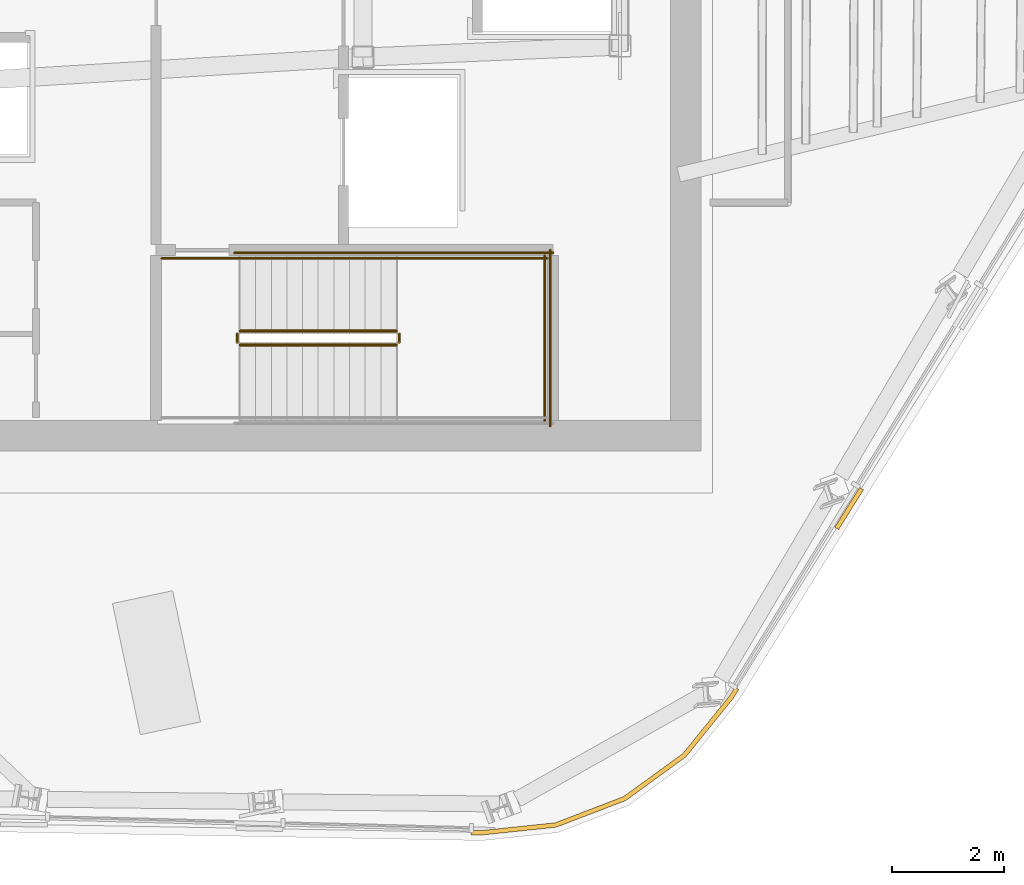
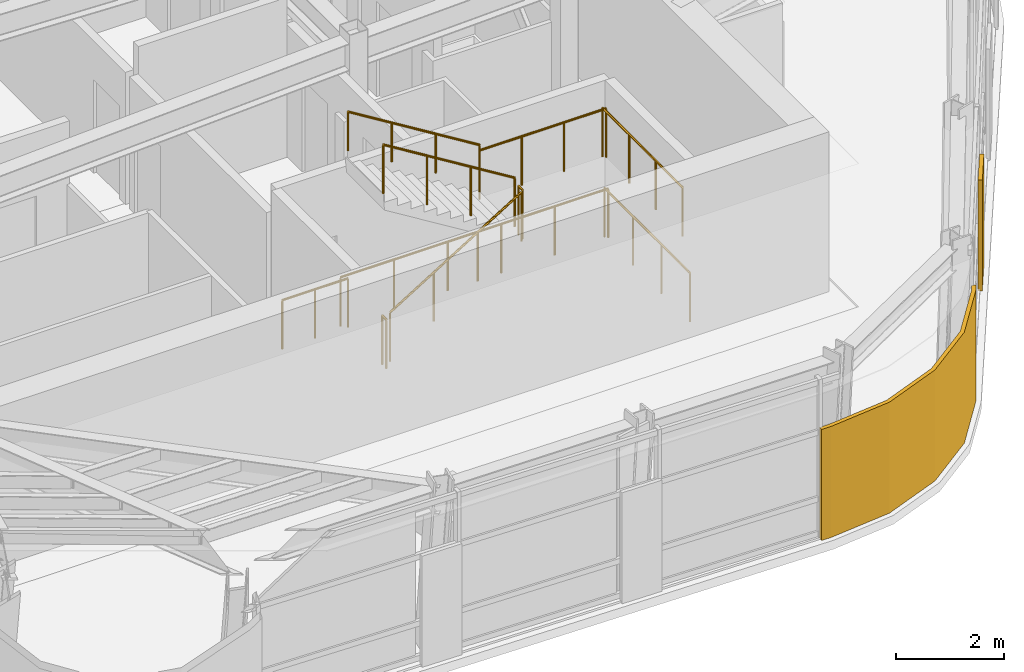
# One storey, part 10 of 13: 10 railings, 2 coverings.
"""IFC4 building model written with IfcOpenShell, lengths in metres."""

from ifc_helpers import new_model, si_unit, direction, frame, origin, origin_2d, place, context, subcontext, project, spatial, polyline, circle, outline, extrude, material, layer, layer_set, type_object, element, save


model = new_model("IFC4")

# Units and contexts
model_context = context("Model", 3, precision=1e-05, world=origin(), true_north=direction((0.0, 1.0)))
body_context = subcontext(model_context, "Body", "Model", "MODEL_VIEW")
ifc_project = project(units=[si_unit("LENGTHUNIT", "METRE"), si_unit("AREAUNIT", "SQUARE_METRE"), si_unit("VOLUMEUNIT", "CUBIC_METRE"), si_unit("PLANEANGLEUNIT", "RADIAN"), si_unit("MASSUNIT", "GRAM", prefix="KILO")], contexts=[model_context])

# Site, building, storey
site_placement = place(None, origin())
site = spatial("IfcSite", under=ifc_project, at=site_placement, CompositionType="ELEMENT")
building_placement = place(site_placement, origin())
building = spatial("IfcBuilding", under=site, at=building_placement, Name="Valkerne Bourse Tower", CompositionType="ELEMENT")
storey_placement = place(building_placement, frame((0.0, 0.0, 277.39990234375)))
storey = spatial("IfcBuildingStorey", under=building, at=storey_placement, Name="L70", CompositionType="ELEMENT", Elevation=277.39990234375)

# Coverings
ifc_material_1 = material(Name="Bronze Anodised Aluminium AA 6063-T6", Category="aluminium")
ifc_layer = layer(ifc_material_1, 0.06005859375)
ifc_layer_set = layer_set([ifc_layer], Name="Bronze Anodised Aluminium AA 6063-T6")
covering_type = type_object("IfcCoveringType", Name="COV-CRN-ALUM", PredefinedType="CLADDING", material=ifc_layer_set)
covering_1_placement = place(storey_placement, origin())
element("IfcCovering", 1, at=covering_1_placement, inside=storey, type_object=covering_type, Name="L70 Wind-Shaped Corner Aluminium Cladding 03", PredefinedType="CLADDING", context=body_context, shape_type="SweptSolid", body=[
    extrude(outline(polyline([(58.85888671875, 16.647705078125), (58.790771484375, 16.689453125), (59.235595703125, 17.402099609375), (59.303955078125, 17.360107421875), (58.85888671875, 16.647705078125)])), origin(), (0.0, 0.0, 1.0), 2.5),
])
covering_2_placement = place(storey_placement, origin())
element("IfcCovering", 2, at=covering_2_placement, inside=storey, type_object=covering_type, Name="L70 Wind-Shaped Corner Aluminium Cladding 04", PredefinedType="CLADDING", context=body_context, shape_type="SweptSolid", body=[
    extrude(outline(polyline([(56.97119140625, 13.62353515625), (56.12939453125, 12.58349609375), (55.05224609375, 11.801025390625), (53.8095703125, 11.32421875), (52.478759765625, 11.18408203125), (52.285888671875, 11.187744140625), (52.2880859375, 11.267578125), (52.475341796875, 11.264404296875), (53.790771484375, 11.402587890625), (55.013916015625, 11.8720703125), (56.07373046875, 12.64208984375), (56.906005859375, 13.669921875), (57.005126953125, 13.828857421875), (57.073486328125, 13.787109375), (56.97119140625, 13.62353515625)])), origin(), (0.0, 0.0, 1.0), 2.5),
])

# Railings
ifc_material_2 = material(Name="Galvanised Painted Steel", Category="steel")
railing_type_1 = type_object("IfcRailingType", Name="RLG-ST-GUARD-1120", PredefinedType="GUARDRAIL", material=ifc_material_2)
railing_1_placement = place(storey_placement, frame((48.14990234375, 19.949951171875, 0.1728515625)))
element("IfcRailing", 3, at=railing_1_placement, inside=storey, type_object=railing_type_1, Name="L70 ST-1 stair guard 1", PredefinedType="GUARDRAIL", context=body_context, shape_type="SweptSolid", body=[
    extrude(circle(Radius=0.02392578125, at=origin_2d()), frame((0.0, 0.0, 1.09619140625), z_axis=(0.851089632645, 0.0, 0.525020415988), x_axis=(0.0, 1.0, 0.0)), (0.0, 0.0, 1.0), 3.2900390625),
    extrude(circle(Radius=0.02099609375, at=origin_2d()), origin(), (0.0, 0.0, 1.0), 1.072021484375),
    extrude(circle(Radius=0.02099609375, at=origin_2d()), frame((0.933349609375, 0.0, 0.57568359375)), (0.0, 0.0, 1.0), 1.072021484375),
    extrude(circle(Radius=0.02099609375, at=origin_2d()), frame((1.86669921875, 0.0, 1.151611328125)), (0.0, 0.0, 1.0), 1.072021484375),
    extrude(circle(Radius=0.02099609375, at=origin_2d()), frame((2.800048828125, 0.0, 1.727294921875)), (0.0, 0.0, 1.0), 1.072021484375),
])
railing_2_placement = place(storey_placement, frame((51.0, 20.0, 1.900146484375)))
element("IfcRailing", 4, at=railing_2_placement, inside=storey, type_object=railing_type_1, Name="L70 ST-1 stair guard 2", PredefinedType="GUARDRAIL", context=body_context, shape_type="SweptSolid", body=[
    extrude(circle(Radius=0.02392578125, at=origin_2d()), frame((0.0, 0.0, 1.09619140625), z_axis=(0.0, 1.0, 0.0), x_axis=(-1.0, 0.0, 0.0)), (0.0, 0.0, 1.0), 0.14990234375),
    extrude(circle(Radius=0.02099609375, at=origin_2d()), origin(), (0.0, 0.0, 1.0), 1.072021484375),
    extrude(circle(Radius=0.02099609375, at=origin_2d()), frame((0.0, 0.14990234375, 0.0)), (0.0, 0.0, 1.0), 1.072021484375),
])
railing_3_placement = place(storey_placement, frame((50.949951171875, 21.5, 1.900146484375)))
element("IfcRailing", 5, at=railing_3_placement, inside=storey, type_object=railing_type_1, Name="L70 ST-1 stair guard 4", PredefinedType="GUARDRAIL", context=body_context, shape_type="SweptSolid", body=[
    extrude(circle(Radius=0.02392578125, at=origin_2d()), frame((0.0, 0.0, 1.09619140625), z_axis=(1.0, 0.0, 0.0), x_axis=(0.0, 1.0, 0.0)), (0.0, 0.0, 1.0), 2.699951171875),
    extrude(circle(Radius=0.02099609375, at=origin_2d()), origin(), (0.0, 0.0, 1.0), 1.072021484375),
    extrude(circle(Radius=0.02099609375, at=origin_2d()), frame((0.89990234375, 0.0, 0.0)), (0.0, 0.0, 1.0), 1.072021484375),
    extrude(circle(Radius=0.02099609375, at=origin_2d()), frame((1.800048828125, 0.0, 0.0)), (0.0, 0.0, 1.0), 1.072021484375),
    extrude(circle(Radius=0.02099609375, at=origin_2d()), frame((2.699951171875, 0.0, 0.0)), (0.0, 0.0, 1.0), 1.072021484375),
])
railing_4_placement = place(storey_placement, frame((53.60009765625, 18.60009765625, 1.900146484375)))
element("IfcRailing", 6, at=railing_4_placement, inside=storey, type_object=railing_type_1, Name="L70 ST-1 stair guard 5", PredefinedType="GUARDRAIL", context=body_context, shape_type="SweptSolid", body=[
    extrude(circle(Radius=0.02392578125, at=origin_2d()), frame((0.0, 0.0, 1.09619140625), z_axis=(0.0, 1.0, 0.0), x_axis=(-1.0, 0.0, 0.0)), (0.0, 0.0, 1.0), 2.949951171875),
    extrude(circle(Radius=0.02099609375, at=origin_2d()), origin(), (0.0, 0.0, 1.0), 1.072021484375),
    extrude(circle(Radius=0.02099609375, at=origin_2d()), frame((0.0, 0.9833984375, 0.0)), (0.0, 0.0, 1.0), 1.072021484375),
    extrude(circle(Radius=0.02099609375, at=origin_2d()), frame((0.0, 1.966552734375, 0.0)), (0.0, 0.0, 1.0), 1.072021484375),
    extrude(circle(Radius=0.02099609375, at=origin_2d()), frame((0.0, 2.949951171875, 0.0)), (0.0, 0.0, 1.0), 1.072021484375),
])
railing_5_placement = place(storey_placement, frame((50.949951171875, 20.199951171875, 2.07275390625)))
element("IfcRailing", 7, at=railing_5_placement, inside=storey, type_object=railing_type_1, Name="L70 ST-1 stair guard 6", PredefinedType="GUARDRAIL", context=body_context, shape_type="SweptSolid", body=[
    extrude(circle(Radius=0.02392578125, at=origin_2d()), frame((0.0, 0.0, 1.09619140625), z_axis=(-0.851089632645, 0.0, 0.525020415988), x_axis=(0.0, -1.0, 0.0)), (0.0, 0.0, 1.0), 3.2900390625),
    extrude(circle(Radius=0.02099609375, at=origin_2d()), origin(), (0.0, 0.0, 1.0), 1.072021484375),
    extrude(circle(Radius=0.02099609375, at=origin_2d()), frame((-0.933349609375, 0.0, 0.57568359375)), (0.0, 0.0, 1.0), 1.072021484375),
    extrude(circle(Radius=0.02099609375, at=origin_2d()), frame((-1.86669921875, 0.0, 1.151611328125)), (0.0, 0.0, 1.0), 1.072021484375),
    extrude(circle(Radius=0.02099609375, at=origin_2d()), frame((-2.800048828125, 0.0, 1.727294921875)), (0.0, 0.0, 1.0), 1.072021484375),
])
railing_6_placement = place(storey_placement, frame((48.10009765625, 20.0, 0.0)))
element("IfcRailing", 8, at=railing_6_placement, inside=storey, type_object=railing_type_1, Name="L70 ST-1 stair guard 7", PredefinedType="GUARDRAIL", context=body_context, shape_type="SweptSolid", body=[
    extrude(circle(Radius=0.02392578125, at=origin_2d()), frame((0.0, 0.0, 1.09619140625), z_axis=(0.0, 1.0, 0.0), x_axis=(-1.0, 0.0, 0.0)), (0.0, 0.0, 1.0), 0.14990234375),
    extrude(circle(Radius=0.02099609375, at=origin_2d()), origin(), (0.0, 0.0, 1.0), 1.072021484375),
    extrude(circle(Radius=0.02099609375, at=origin_2d()), frame((0.0, 0.14990234375, 0.0)), (0.0, 0.0, 1.0), 1.072021484375),
])
railing_7_placement = place(storey_placement, frame((46.75, 21.5, 0.0)))
element("IfcRailing", 9, at=railing_7_placement, inside=storey, type_object=railing_type_1, Name="L70 ST-1 stair guard 9", PredefinedType="GUARDRAIL", context=body_context, shape_type="SweptSolid", body=[
    extrude(circle(Radius=0.02392578125, at=origin_2d()), frame((0.0, 0.0, 1.09619140625), z_axis=(1.0, 0.0, 0.0), x_axis=(0.0, 1.0, 0.0)), (0.0, 0.0, 1.0), 1.39990234375),
    extrude(circle(Radius=0.02099609375, at=origin_2d()), origin(), (0.0, 0.0, 1.0), 1.072021484375),
    extrude(circle(Radius=0.02099609375, at=origin_2d()), frame((0.699951171875, 0.0, 0.0)), (0.0, 0.0, 1.0), 1.072021484375),
    extrude(circle(Radius=0.02099609375, at=origin_2d()), frame((1.39990234375, 0.0, 0.0)), (0.0, 0.0, 1.0), 1.072021484375),
])
railing_8_placement = place(storey_placement, frame((48.050048828125, 21.60009765625, 0.0)))
element("IfcRailing", 10, at=railing_8_placement, inside=storey, type_object=railing_type_1, Name="L70 ST-1 stair guard 11", PredefinedType="GUARDRAIL", context=body_context, shape_type="SweptSolid", body=[
    extrude(circle(Radius=0.02392578125, at=origin_2d()), frame((0.0, 0.0, 1.09619140625), z_axis=(1.0, 0.0, 0.0), x_axis=(0.0, 1.0, 0.0)), (0.0, 0.0, 1.0), 5.699951171875),
    extrude(circle(Radius=0.02099609375, at=origin_2d()), origin(), (0.0, 0.0, 1.0), 1.072021484375),
    extrude(circle(Radius=0.02099609375, at=origin_2d()), frame((1.139892578125, 0.0, 0.0)), (0.0, 0.0, 1.0), 1.072021484375),
    extrude(circle(Radius=0.02099609375, at=origin_2d()), frame((2.280029296875, 0.0, 0.0)), (0.0, 0.0, 1.0), 1.072021484375),
    extrude(circle(Radius=0.02099609375, at=origin_2d()), frame((3.419921875, 0.0, 0.0)), (0.0, 0.0, 1.0), 1.072021484375),
    extrude(circle(Radius=0.02099609375, at=origin_2d()), frame((4.56005859375, 0.0, 0.0)), (0.0, 0.0, 1.0), 1.072021484375),
    extrude(circle(Radius=0.02099609375, at=origin_2d()), frame((5.699951171875, 0.0, 0.0)), (0.0, 0.0, 1.0), 1.072021484375),
])
railing_9_placement = place(storey_placement, frame((53.699951171875, 18.5, 0.0)))
element("IfcRailing", 11, at=railing_9_placement, inside=storey, type_object=railing_type_1, Name="L70 ST-1 stair guard 12", PredefinedType="GUARDRAIL", context=body_context, shape_type="SweptSolid", body=[
    extrude(circle(Radius=0.02392578125, at=origin_2d()), frame((0.0, 0.0, 1.09619140625), z_axis=(0.0, 1.0, 0.0), x_axis=(-1.0, 0.0, 0.0)), (0.0, 0.0, 1.0), 3.14990234375),
    extrude(circle(Radius=0.02099609375, at=origin_2d()), origin(), (0.0, 0.0, 1.0), 1.072021484375),
    extrude(circle(Radius=0.02099609375, at=origin_2d()), frame((0.0, 1.050048828125, 0.0)), (0.0, 0.0, 1.0), 1.072021484375),
    extrude(circle(Radius=0.02099609375, at=origin_2d()), frame((0.0, 2.099853515625, 0.0)), (0.0, 0.0, 1.0), 1.072021484375),
    extrude(circle(Radius=0.02099609375, at=origin_2d()), frame((0.0, 3.14990234375, 0.0)), (0.0, 0.0, 1.0), 1.072021484375),
])
ifc_material_3 = material(Name="Stainless Steel AISI 316", Category="steel")
railing_type_2 = type_object("IfcRailingType", Name="RLG-ST-HANDRAIL-900", PredefinedType="HANDRAIL", material=ifc_material_3)
railing_10_placement = place(storey_placement, frame((50.949951171875, 21.5, 2.24560546875)))
element("IfcRailing", 12, at=railing_10_placement, inside=storey, type_object=railing_type_2, Name="L70 ST-1 stair handrail 2", PredefinedType="HANDRAIL", context=body_context, shape_type="SweptSolid", body=[
    extrude(circle(Radius=0.02392578125, at=origin_2d()), frame((0.0, 0.0, 0.8759765625), z_axis=(-0.851089632645, 0.0, 0.525020415988), x_axis=(0.0, -1.0, 0.0)), (0.0, 0.0, 1.0), 3.2900390625),
    extrude(circle(Radius=0.02099609375, at=origin_2d()), origin(), (0.0, 0.0, 1.0), 0.851806640625),
    extrude(circle(Radius=0.02099609375, at=origin_2d()), frame((-0.933349609375, 0.0, 0.57568359375)), (0.0, 0.0, 1.0), 0.851806640625),
    extrude(circle(Radius=0.02099609375, at=origin_2d()), frame((-1.86669921875, 0.0, 1.151611328125)), (0.0, 0.0, 1.0), 0.851806640625),
    extrude(circle(Radius=0.02099609375, at=origin_2d()), frame((-2.800048828125, 0.0, 1.727294921875)), (0.0, 0.0, 1.0), 0.851806640625),
])

save(model, "model.ifc")
